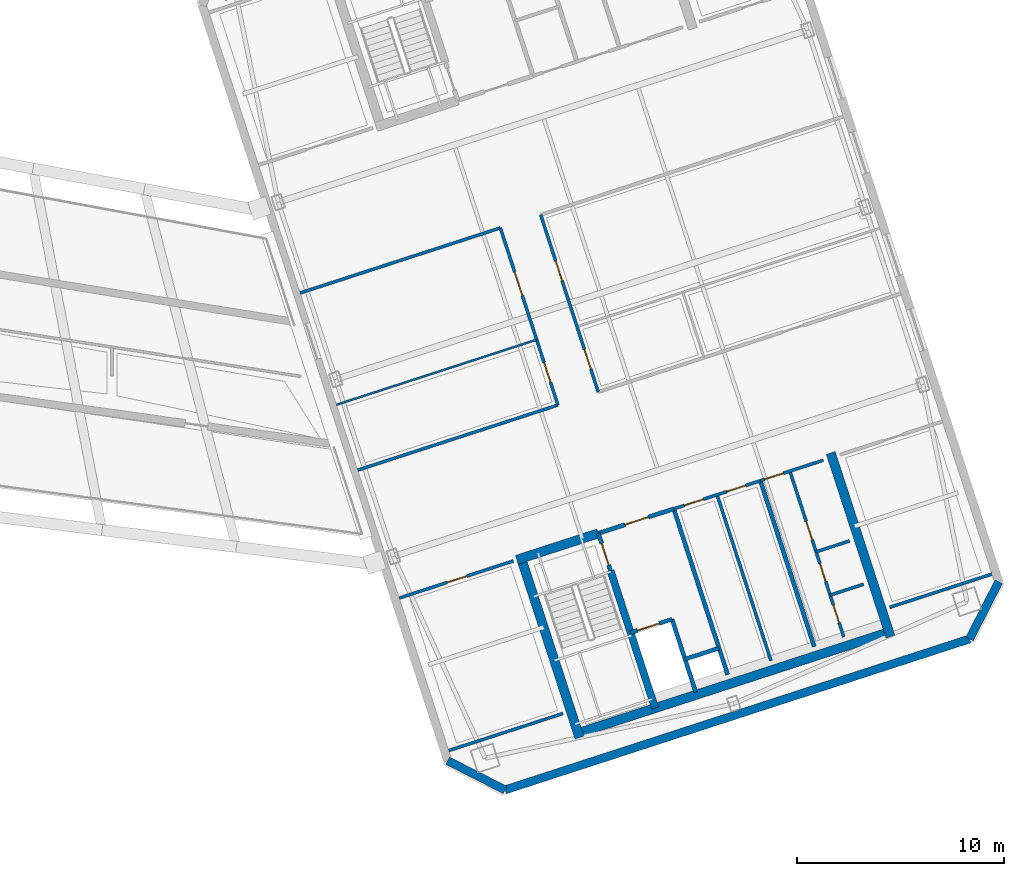
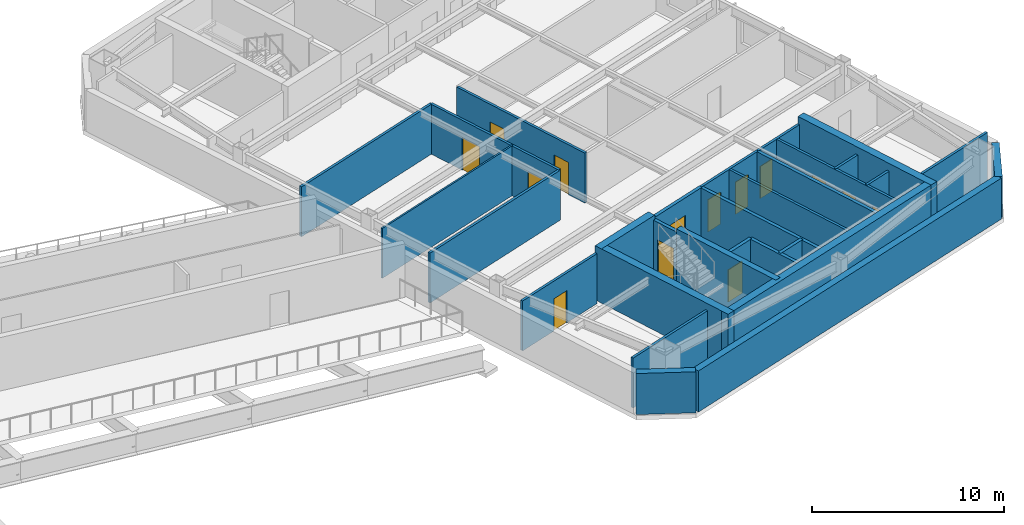
# One storey, part 9 of 18: 29 walls, 14 doors, 14 openings.
"""IFC4 building model written with IfcOpenShell, lengths in metres."""

from ifc_helpers import new_model, si_unit, direction, frame, frame_2d, origin, place, context, subcontext, project, spatial, rectangle, extrude, material, layer, layer_set, type_object, element, fill, save


model = new_model("IFC4")

# Units and contexts
model_context = context("Model", 3, precision=1e-05, world=origin(), true_north=direction((0.0, 1.0)))
body_context = subcontext(model_context, "Body", "Model", "MODEL_VIEW")
ifc_project = project(units=[si_unit("LENGTHUNIT", "METRE"), si_unit("AREAUNIT", "SQUARE_METRE"), si_unit("VOLUMEUNIT", "CUBIC_METRE"), si_unit("PLANEANGLEUNIT", "RADIAN"), si_unit("MASSUNIT", "GRAM", prefix="KILO")], contexts=[model_context])

# Site, building, storey
site_placement = place(None, origin())
site = spatial("IfcSite", under=ifc_project, at=site_placement, CompositionType="ELEMENT")
building_placement = place(site_placement, origin())
building = spatial("IfcBuilding", under=site, at=building_placement, Name="Qiaolan Cultural Towers", CompositionType="ELEMENT")
storey_placement = place(building_placement, frame((0.0, 0.0, 219.64990234375)))
storey = spatial("IfcBuildingStorey", under=building, at=storey_placement, Name="L59", CompositionType="ELEMENT", Elevation=219.64990234375)

# Walls
ifc_material_1 = material(Name="Concrete C50", Category="concrete")
ifc_layer_1 = layer(ifc_material_1, 0.35009765625)
ifc_layer_set_1 = layer_set([ifc_layer_1], Name="Concrete C50")
wall_type_1 = type_object("IfcWallType", Name="WL-CORE-350", PredefinedType="SHEAR", material=ifc_layer_set_1)
wall_1_placement = place(storey_placement, frame((90.486328125, 20.59423828125, 0.0), z_axis=(0.0, 0.0, 1.0), x_axis=(0.309020428229, -0.951055400562, 0.0)))
element("IfcWall", 1, at=wall_1_placement, inside=storey, type_object=wall_type_1, Name="L59 T2-CS Stair Core Dividing Web", PredefinedType="SHEAR", context=body_context, shape_type="SweptSolid", body=[
    extrude(rectangle(XDim=6.97998046875, YDim=0.35009765625, at=frame_2d((3.489990234375, 0.0))), origin(), (0.0, 0.0, 1.0), 3.4501953125),
])
ifc_material_2 = material(Name="Concrete C50", Category="concrete")
ifc_layer_2 = layer(ifc_material_2, 0.449951171875)
ifc_layer_set_2 = layer_set([ifc_layer_2], Name="Concrete C50")
wall_type_2 = type_object("IfcWallType", Name="WL-CORE-450", PredefinedType="SHEAR", material=ifc_layer_set_2)
wall_2_placement = place(storey_placement, frame((88.701171875, 12.675048828125, 0.0), z_axis=(0.0, 0.0, 1.0), x_axis=(0.95105824505, 0.309011673763, 0.0)))
element("IfcWall", 2, at=wall_2_placement, inside=storey, type_object=wall_type_2, Name="L59 T2-CS Outer Core Shear Wall", PredefinedType="SHEAR", context=body_context, shape_type="SweptSolid", body=[
    extrude(rectangle(XDim=16.250244140625, YDim=0.449951171875, at=frame_2d((8.125, 0.0))), origin(), (0.0, 0.0, 1.0), 3.4501953125),
])
for number, where, z_axis, x_axis, name in (
    (3, (86.1015625, 21.40380859375, 0.0), (0.0, 0.0, 1.0), (0.309035778627, -0.951050412717, 0.0), "L59 T2-CS West Core Shear Wall"),
    (4, (101.12841796875, 26.286376953125, 0.0), (0.0, 0.0, 1.0), (0.309004419953, -0.951060601881, 0.0), "L59 T2-CS East Core Shear Wall"),
):
    element("IfcWall", number, at=place(storey_placement, frame(where, z_axis=z_axis, x_axis=x_axis)), inside=storey, type_object=wall_type_2, Name=name, PredefinedType="SHEAR", context=body_context, shape_type="SweptSolid", body=[
        extrude(rectangle(XDim=9.330078125, YDim=0.449951171875, at=frame_2d((4.6650390625, 0.0))), origin(), (0.0, 0.0, 1.0), 3.4501953125),
    ])
wall_3_placement = place(storey_placement, frame((85.957275390625, 21.120361328125, 0.0), z_axis=(0.0, 0.0, 1.0), x_axis=(0.951064796122, 0.308991510526, 0.0)))
element("IfcWall", 5, at=wall_3_placement, inside=storey, type_object=wall_type_2, Name="L59 T2-CS Stair Front Shear Wall", PredefinedType="SHEAR", context=body_context, shape_type="SweptSolid", body=[
    extrude(rectangle(XDim=4.14501953125, YDim=0.449951171875, at=frame_2d((2.072509765625, 0.0))), origin(), (0.0, 0.0, 1.0), 3.4501953125),
])
ifc_material_3 = material(Name="Precast Concrete C50 Honed Stone Pier", Category="masonry")
ifc_layer_3 = layer(ifc_material_3, 0.39990234375)
ifc_layer_set_3 = layer_set([ifc_layer_3], Name="Precast Concrete C50 Honed Stone Pier")
wall_type_3 = type_object("IfcWallType", Name="WL-EXT-PIER-400", PredefinedType="SOLIDWALL", material=ifc_layer_set_3)
wall_4_placement = place(storey_placement, frame((109.247802734375, 20.06591796875, 0.0), z_axis=(0.0, 0.0, 1.0), x_axis=(-0.453949291228, -0.891027519774, 0.0)))
element("IfcWall", 6, at=wall_4_placement, inside=storey, type_object=wall_type_3, Name="L59 East Tower Precast Pier Facade Wall F6", PredefinedType="SOLIDWALL", context=body_context, shape_type="SweptSolid", body=[
    extrude(rectangle(XDim=3.111328125, YDim=0.39990234375, at=frame_2d((1.5556640625, 0.0))), origin(), (0.0, 0.0, 1.0), 2.610107421875),
])
wall_5_placement = place(storey_placement, frame((107.83544921875, 17.293701171875, 0.0), z_axis=(0.0, 0.0, 1.0), x_axis=(-0.951058012937, -0.309012388148, 0.0)))
element("IfcWall", 7, at=wall_5_placement, inside=storey, type_object=wall_type_3, Name="L59 East Tower Precast Pier Facade Wall F7", PredefinedType="SOLIDWALL", context=body_context, shape_type="SweptSolid", body=[
    extrude(rectangle(XDim=23.60009765625, YDim=0.39990234375, at=frame_2d((11.800048828125, 0.0))), origin(), (0.0, 0.0, 1.0), 2.610107421875),
])
wall_6_placement = place(storey_placement, frame((85.390380859375, 10.0009765625, 0.0), z_axis=(0.0, 0.0, 1.0), x_axis=(-0.890979603174, 0.454043331334, 0.0)))
element("IfcWall", 8, at=wall_6_placement, inside=storey, type_object=wall_type_3, Name="L59 East Tower Precast Pier Facade Wall F8", PredefinedType="SOLIDWALL", context=body_context, shape_type="SweptSolid", body=[
    extrude(rectangle(XDim=3.111083984375, YDim=0.39990234375, at=frame_2d((1.5556640625, 0.0))), origin(), (0.0, 0.0, 1.0), 2.610107421875),
])

# Wall, opening, door
ifc_material_4 = material(Name="Concrete C35 Fire Wall", Category="concrete")
ifc_layer_4 = layer(ifc_material_4, 0.199951171875)
ifc_layer_set_4 = layer_set([ifc_layer_4], Name="Concrete C35 Fire Wall")
wall_type_4 = type_object("IfcWallType", Name="WL-FIRE-200", PredefinedType="PARTITIONING", material=ifc_layer_set_4)
wall_7_placement = place(storey_placement, frame((89.8994140625, 22.401123046875, 0.0), z_axis=(0.0, 0.0, 1.0), x_axis=(0.308932062672, -0.951084108086, 0.0)))
wall_7 = element("IfcWall", 9, at=wall_7_placement, inside=storey, type_object=wall_type_4, Name="L59 T2-CS Smokeproof Stair Entry Wall", PredefinedType="PARTITIONING", context=body_context, shape_type="SweptSolid", body=[
    extrude(rectangle(XDim=1.89990234375, YDim=0.199951171875, at=frame_2d((0.949951171875, 0.0))), origin(), (0.0, 0.0, 1.0), 3.175048828125),
])
opening_1_placement = place(wall_7_placement, frame((0.52001953125, 0.0, 0.0)))
opening_1 = element("IfcOpeningElement", 10, at=opening_1_placement, cuts=wall_7, Name="Opening FD-04", PredefinedType="OPENING", context=body_context, shape_type="SweptSolid", body=[
    extrude(rectangle(XDim=1.10009765625, YDim=2.050048828125, at=frame_2d((0.550048828125, 1.02490234375))), frame((0.0, 0.10986328125, 0.0), z_axis=(0.0, -1.0, 0.0), x_axis=(1.0, 0.0, 0.0)), (0.0, 0.0, 1.0), 0.219970703125),
])
ifc_material_5 = material(Name="Galvanized Steel Command Fire Door", Category="steel")
door_type_1 = type_object("IfcDoorType", Name="DR-FD90-1100", OperationType="NOTDEFINED", PredefinedType="DOOR", material=ifc_material_5)
door_1_placement = place(opening_1_placement, origin())
door_1 = element("IfcDoor", 11, at=door_1_placement, inside=storey, type_object=door_type_1, Name="L59 ST-E1 Smokeproof Stair Fire Door", OperationType="SINGLE_SWING_LEFT", OverallHeight=2.050048828125, OverallWidth=1.10009765625, PredefinedType="DOOR", context=body_context, shape_type="SweptSolid", body=[
    extrude(rectangle(XDim=1.10009765625, YDim=2.050048828125, at=frame_2d((0.550048828125, 1.02490234375))), frame((0.0, 0.02490234375, 0.0), z_axis=(0.0, -1.0, 0.0), x_axis=(1.0, 0.0, 0.0)), (0.0, 0.0, 1.0), 0.050048828125),
])
fill(opening_1, door_1)

# Wall
wall_8_placement = place(storey_placement, frame((93.541748046875, 23.584716796875, 0.0), z_axis=(0.0, 0.0, 1.0), x_axis=(0.309042196757, -0.951048327176, 0.0)))
element("IfcWall", 12, at=wall_8_placement, inside=storey, type_object=wall_type_4, Name="L59 T2-CS Firefighting Zone Wall", PredefinedType="PARTITIONING", context=body_context, shape_type="SweptSolid", body=[
    extrude(rectangle(XDim=8.429931640625, YDim=0.199951171875, at=frame_2d((4.21484375, 0.0))), origin(), (0.0, 0.0, 1.0), 3.175048828125),
])

# Wall, opening, door
wall_9_placement = place(storey_placement, frame((89.8994140625, 22.401123046875, 0.0), z_axis=(0.0, 0.0, 1.0), x_axis=(0.951046716504, 0.309047153403, 0.0)))
wall_9 = element("IfcWall", 13, at=wall_9_placement, inside=storey, type_object=wall_type_4, Name="L59 T2-CS Firefighting Lobby Front Wall", PredefinedType="PARTITIONING", context=body_context, shape_type="SweptSolid", body=[
    extrude(rectangle(XDim=3.829833984375, YDim=0.199951171875, at=frame_2d((1.9150390625, 0.0))), origin(), (0.0, 0.0, 1.0), 3.175048828125),
])
opening_2_placement = place(wall_9_placement, frame((1.35009765625, 0.0, 0.0)))
opening_2 = element("IfcOpeningElement", 14, at=opening_2_placement, cuts=wall_9, Name="Opening FD-03", PredefinedType="OPENING", context=body_context, shape_type="SweptSolid", body=[
    extrude(rectangle(XDim=1.199951171875, YDim=2.050048828125, at=frame_2d((0.60009765625, 1.02490234375))), frame((0.0, 0.10986328125, 0.0), z_axis=(0.0, -1.0, 0.0), x_axis=(1.0, 0.0, 0.0)), (0.0, 0.0, 1.0), 0.219970703125),
])
ifc_material_6 = material(Name="Galvanized Steel Smokeproof Lobby Fire Door", Category="steel")
door_type_2 = type_object("IfcDoorType", Name="DR-FD90-1200", OperationType="NOTDEFINED", PredefinedType="DOOR", material=ifc_material_6)
door_2_placement = place(opening_2_placement, origin())
door_2 = element("IfcDoor", 15, at=door_2_placement, inside=storey, type_object=door_type_2, Name="L59 FFL-E1 Firefighting Lobby Fire Door", OperationType="SINGLE_SWING_LEFT", OverallHeight=2.050048828125, OverallWidth=1.199951171875, PredefinedType="DOOR", context=body_context, shape_type="SweptSolid", body=[
    extrude(rectangle(XDim=1.199951171875, YDim=2.050048828125, at=frame_2d((0.60009765625, 1.02490234375))), frame((0.0, 0.02490234375, 0.0), z_axis=(0.0, -1.0, 0.0), x_axis=(1.0, 0.0, 0.0)), (0.0, 0.0, 1.0), 0.050048828125),
])
fill(opening_2, door_2)

wall_10_placement = place(storey_placement, frame((91.459716796875, 17.598388671875, 0.0), z_axis=(0.0, 0.0, 1.0), x_axis=(0.951062257173, 0.308999325213, 0.0)))
wall_10 = element("IfcWall", 16, at=wall_10_placement, inside=storey, type_object=wall_type_4, Name="L59 T2-CS Firefighting Shaft Front Wall", PredefinedType="PARTITIONING", context=body_context, shape_type="SweptSolid", body=[
    extrude(rectangle(XDim=2.10009765625, YDim=0.199951171875, at=frame_2d((1.050048828125, 0.0))), origin(), (0.0, 0.0, 1.0), 3.175048828125),
])
opening_3_placement = place(wall_10_placement, frame((0.35009765625, 0.0, 0.0)))
opening_3 = element("IfcOpeningElement", 17, at=opening_3_placement, cuts=wall_10, Name="Opening LD-01", PredefinedType="OPENING", context=body_context, shape_type="SweptSolid", body=[
    extrude(rectangle(XDim=1.10009765625, YDim=2.050048828125, at=frame_2d((0.550048828125, 1.02490234375))), frame((0.0, 0.10986328125, 0.0), z_axis=(0.0, -1.0, 0.0), x_axis=(1.0, 0.0, 0.0)), (0.0, 0.0, 1.0), 0.219970703125),
])
ifc_material_7 = material(Name="Brushed Stainless Steel S30408 Centre-Parting Lift Landing Door", Category="steel")
door_type_3 = type_object("IfcDoorType", Name="DR-LIFT-1100", OperationType="NOTDEFINED", PredefinedType="DOOR", material=ifc_material_7)
door_3_placement = place(opening_3_placement, origin())
door_3 = element("IfcDoor", 18, at=door_3_placement, inside=storey, type_object=door_type_3, Name="L59 FFL-E1 Firefighting Lift Landing Door", OperationType="DOUBLE_DOOR_SLIDING", OverallHeight=2.050048828125, OverallWidth=1.10009765625, PredefinedType="DOOR", context=body_context, shape_type="SweptSolid", body=[
    extrude(rectangle(XDim=1.10009765625, YDim=2.050048828125, at=frame_2d((0.550048828125, 1.02490234375))), frame((0.0, 0.02490234375, 0.0), z_axis=(0.0, -1.0, 0.0), x_axis=(1.0, 0.0, 0.0)), (0.0, 0.0, 1.0), 0.050048828125),
])
fill(opening_3, door_3)

# Walls
wall_11_placement = place(storey_placement, frame((93.45703125, 18.247314453125, 0.0), z_axis=(0.0, 0.0, 1.0), x_axis=(0.3089935693, -0.951064127245, 0.0)))
element("IfcWall", 19, at=wall_11_placement, inside=storey, type_object=wall_type_4, Name="L59 T2-CS Firefighting Hoistway East Wall", PredefinedType="PARTITIONING", context=body_context, shape_type="SweptSolid", body=[
    extrude(rectangle(XDim=3.7001953125, YDim=0.199951171875, at=frame_2d((1.85009765625, 0.0))), origin(), (0.0, 0.0, 1.0), 3.175048828125),
])
wall_12_placement = place(storey_placement, frame((94.08447265625, 16.316650390625, 0.0), z_axis=(0.0, 0.0, 1.0), x_axis=(0.951041328149, 0.309063734775, 0.0)))
element("IfcWall", 20, at=wall_12_placement, inside=storey, type_object=wall_type_4, Name="L59 T2-CS Pressurization Shaft Front Wall", PredefinedType="PARTITIONING", context=body_context, shape_type="SweptSolid", body=[
    extrude(rectangle(XDim=1.72998046875, YDim=0.199951171875, at=frame_2d((0.864990234375, 0.0))), origin(), (0.0, 0.0, 1.0), 3.175048828125),
])
wall_13_placement = place(storey_placement, frame((97.7265625, 24.9443359375, 0.0), z_axis=(0.0, 0.0, 1.0), x_axis=(0.309016001439, -0.951056838919, 0.0)))
element("IfcWall", 21, at=wall_13_placement, inside=storey, type_object=wall_type_4, Name="L59 T2-CS Lift Core East Wall", PredefinedType="PARTITIONING", context=body_context, shape_type="SweptSolid", body=[
    extrude(rectangle(XDim=8.429931640625, YDim=0.199951171875, at=frame_2d((4.21484375, 0.0))), origin(), (0.0, 0.0, 1.0), 3.175048828125),
])
ifc_material_8 = material(Name="Acoustic Double-Glazed Partition Frame", Category="glass")
ifc_layer_5 = layer(ifc_material_8, 0.10009765625)
ifc_layer_set_5 = layer_set([ifc_layer_5], Name="Acoustic Double-Glazed Partition Frame")
wall_type_5 = type_object("IfcWallType", Name="WL-GLAZED-100", PredefinedType="MOVABLE", material=ifc_layer_set_5)
wall_14_placement = place(storey_placement, frame((77.239990234375, 28.61328125, 0.0), z_axis=(0.0, 0.0, 1.0), x_axis=(0.951055402118, 0.30902042344, 0.0)))
element("IfcWall", 22, at=wall_14_placement, inside=storey, type_object=wall_type_5, Name="L59 T2 Interior Wall", PredefinedType="MOVABLE", context=body_context, shape_type="SweptSolid", body=[
    extrude(rectangle(XDim=10.175048828125, YDim=0.10009765625, at=frame_2d((5.08740234375, 0.0))), origin(), (0.0, 0.0, 1.0), 3.175048828125),
])

# Wall, openings, doors
ifc_material_9 = material(Name="Autoclaved Aerated Concrete Block B06", Category="concrete")
ifc_layer_6 = layer(ifc_material_9, 0.14990234375)
ifc_layer_set_6 = layer_set([ifc_layer_6], Name="Autoclaved Aerated Concrete Block B06")
wall_type_6 = type_object("IfcWallType", Name="WL-PART-150", PredefinedType="PARTITIONING", material=ifc_layer_set_6)
wall_15_placement = place(storey_placement, frame((93.541748046875, 23.584716796875, 0.0), z_axis=(0.0, 0.0, 1.0), x_axis=(0.951063829732, 0.308994485023, 0.0)))
wall_15 = element("IfcWall", 23, at=wall_15_placement, inside=storey, type_object=wall_type_6, Name="L59 T2-CS Reclaimed Core Room Front Wall", PredefinedType="PARTITIONING", context=body_context, shape_type="SweptSolid", body=[
    extrude(rectangle(XDim=4.400146484375, YDim=0.14990234375, at=frame_2d((2.2001953125, 0.0))), origin(), (0.0, 0.0, 1.0), 3.175048828125),
])
opening_4_placement = place(wall_15_placement, frame((0.550048828125, 0.0, 0.0)))
opening_4 = element("IfcOpeningElement", 24, at=opening_4_placement, cuts=wall_15, Name="Opening ID-05", PredefinedType="OPENING", context=body_context, shape_type="SweptSolid", body=[
    extrude(rectangle(XDim=0.949951171875, YDim=2.050048828125, at=frame_2d((0.47509765625, 1.02490234375))), frame((0.0, 0.0849609375, 0.0), z_axis=(0.0, -1.0, 0.0), x_axis=(1.0, 0.0, 0.0)), (0.0, 0.0, 1.0), 0.169921875),
])
opening_5_placement = place(wall_15_placement, frame((2.699951171875, 0.0, 0.0)))
opening_5 = element("IfcOpeningElement", 25, at=opening_5_placement, cuts=wall_15, Name="Opening ID-05", PredefinedType="OPENING", context=body_context, shape_type="SweptSolid", body=[
    extrude(rectangle(XDim=0.949951171875, YDim=2.050048828125, at=frame_2d((0.47509765625, 1.02490234375))), frame((0.0, 0.0849609375, 0.0), z_axis=(0.0, -1.0, 0.0), x_axis=(1.0, 0.0, 0.0)), (0.0, 0.0, 1.0), 0.169921875),
])
ifc_material_10 = material(Name="Fire-Rated Laminate Accessible Core Door", Category="timber")
door_type_4 = type_object("IfcDoorType", Name="DR-INT-950", OperationType="NOTDEFINED", PredefinedType="DOOR", material=ifc_material_10)
door_4_placement = place(opening_4_placement, origin())
door_4 = element("IfcDoor", 26, at=door_4_placement, inside=storey, type_object=door_type_4, Name="L59 Copy Print Room Door", OperationType="SINGLE_SWING_LEFT", OverallHeight=2.050048828125, OverallWidth=0.949951171875, PredefinedType="DOOR", context=body_context, shape_type="SweptSolid", body=[
    extrude(rectangle(XDim=0.949951171875, YDim=2.050048828125, at=frame_2d((0.47509765625, 1.02490234375))), frame((0.0, 0.02490234375, 0.0), z_axis=(0.0, -1.0, 0.0), x_axis=(1.0, 0.0, 0.0)), (0.0, 0.0, 1.0), 0.050048828125),
])
fill(opening_4, door_4)
door_5_placement = place(opening_5_placement, origin())
door_5 = element("IfcDoor", 27, at=door_5_placement, inside=storey, type_object=door_type_4, Name="L59 Tea Pantry Room Door", OperationType="SINGLE_SWING_RIGHT", OverallHeight=2.050048828125, OverallWidth=0.949951171875, PredefinedType="DOOR", context=body_context, shape_type="SweptSolid", body=[
    extrude(rectangle(XDim=0.949951171875, YDim=2.050048828125, at=frame_2d((0.47509765625, 1.02490234375))), frame((0.0, 0.02490234375, 0.0), z_axis=(0.0, -1.0, 0.0), x_axis=(1.0, 0.0, 0.0)), (0.0, 0.0, 1.0), 0.050048828125),
])
fill(opening_5, door_5)

# Wall
wall_16_placement = place(storey_placement, frame((95.63427734375, 24.2646484375, 0.0), z_axis=(0.0, 0.0, 1.0), x_axis=(0.309007490203, -0.951059604335, 0.0)))
element("IfcWall", 28, at=wall_16_placement, inside=storey, type_object=wall_type_6, Name="L59 T2-CS Reclaimed Twin Room Wall", PredefinedType="PARTITIONING", context=body_context, shape_type="SweptSolid", body=[
    extrude(rectangle(XDim=8.43017578125, YDim=0.14990234375, at=frame_2d((4.215087890625, 0.0))), origin(), (0.0, 0.0, 1.0), 3.175048828125),
])

# Wall, opening, door
wall_17_placement = place(storey_placement, frame((97.7265625, 24.9443359375, 0.0), z_axis=(0.0, 0.0, 1.0), x_axis=(0.951036872128, 0.309077446369, 0.0)))
wall_17 = element("IfcWall", 29, at=wall_17_placement, inside=storey, type_object=wall_type_6, Name="L59 T2-CS Sanitary Core Front Wall", PredefinedType="PARTITIONING", context=body_context, shape_type="SweptSolid", body=[
    extrude(rectangle(XDim=3.199951171875, YDim=0.14990234375, at=frame_2d((1.60009765625, 0.0))), origin(), (0.0, 0.0, 1.0), 3.175048828125),
])
opening_6_placement = place(wall_17_placement, frame((0.219970703125, 0.0, 0.0)))
opening_6 = element("IfcOpeningElement", 30, at=opening_6_placement, cuts=wall_17, Name="Opening ID-05", PredefinedType="OPENING", context=body_context, shape_type="SweptSolid", body=[
    extrude(rectangle(XDim=0.949951171875, YDim=2.050048828125, at=frame_2d((0.47509765625, 1.02490234375))), frame((0.0, 0.0849609375, 0.0), z_axis=(0.0, -1.0, 0.0), x_axis=(1.0, 0.0, 0.0)), (0.0, 0.0, 1.0), 0.169921875),
])
door_6_placement = place(opening_6_placement, origin())
door_6 = element("IfcDoor", 31, at=door_6_placement, inside=storey, type_object=door_type_4, Name="L59 Sanitary Vestibule Door", OperationType="SINGLE_SWING_LEFT", OverallHeight=2.050048828125, OverallWidth=0.949951171875, PredefinedType="DOOR", context=body_context, shape_type="SweptSolid", body=[
    extrude(rectangle(XDim=0.949951171875, YDim=2.050048828125, at=frame_2d((0.47509765625, 1.02490234375))), frame((0.0, 0.02490234375, 0.0), z_axis=(0.0, -1.0, 0.0), x_axis=(1.0, 0.0, 0.0)), (0.0, 0.0, 1.0), 0.050048828125),
])
fill(opening_6, door_6)

# Wall, openings, doors
wall_18_placement = place(storey_placement, frame((99.153076171875, 25.407958984375, 0.0), z_axis=(0.0, 0.0, 1.0), x_axis=(0.309016001439, -0.951056838919, 0.0)))
wall_18 = element("IfcWall", 32, at=wall_18_placement, inside=storey, type_object=wall_type_6, Name="L59 T2-CS Sanitary Vestibule Wall", PredefinedType="PARTITIONING", context=body_context, shape_type="SweptSolid", body=[
    extrude(rectangle(XDim=8.429931640625, YDim=0.14990234375, at=frame_2d((4.21484375, 0.0))), origin(), (0.0, 0.0, 1.0), 3.175048828125),
])
opening_7_placement = place(wall_18_placement, frame((2.550048828125, 0.0, 0.0)))
opening_7 = element("IfcOpeningElement", 33, at=opening_7_placement, cuts=wall_18, Name="Opening ID-05", PredefinedType="OPENING", context=body_context, shape_type="SweptSolid", body=[
    extrude(rectangle(XDim=0.949951171875, YDim=2.050048828125, at=frame_2d((0.47509765625, 1.02490234375))), frame((0.0, 0.0849609375, 0.0), z_axis=(0.0, -1.0, 0.0), x_axis=(1.0, 0.0, 0.0)), (0.0, 0.0, 1.0), 0.169921875),
])
opening_8_placement = place(wall_18_placement, frame((4.699951171875, 0.0, 0.0)))
opening_8 = element("IfcOpeningElement", 34, at=opening_8_placement, cuts=wall_18, Name="Opening ID-06", PredefinedType="OPENING", context=body_context, shape_type="SweptSolid", body=[
    extrude(rectangle(XDim=0.89990234375, YDim=2.050048828125, at=frame_2d((0.449951171875, 1.02490234375))), frame((0.0, 0.0849609375, 0.0), z_axis=(0.0, -1.0, 0.0), x_axis=(1.0, 0.0, 0.0)), (0.0, 0.0, 1.0), 0.169921875),
])
opening_9_placement = place(wall_18_placement, frame((6.800048828125, 0.0, 0.0)))
opening_9 = element("IfcOpeningElement", 35, at=opening_9_placement, cuts=wall_18, Name="Opening ID-06", PredefinedType="OPENING", context=body_context, shape_type="SweptSolid", body=[
    extrude(rectangle(XDim=0.89990234375, YDim=2.050048828125, at=frame_2d((0.449951171875, 1.02490234375))), frame((0.0, 0.0849609375, 0.0), z_axis=(0.0, -1.0, 0.0), x_axis=(1.0, 0.0, 0.0)), (0.0, 0.0, 1.0), 0.169921875),
])
ifc_material_11 = material(Name="Fire-Rated Laminate Core Service Door", Category="timber")
door_type_5 = type_object("IfcDoorType", Name="DR-INT-900", OperationType="NOTDEFINED", PredefinedType="DOOR", material=ifc_material_11)
door_7_placement = place(opening_8_placement, origin())
door_7 = element("IfcDoor", 36, at=door_7_placement, inside=storey, type_object=door_type_5, Name="L59 Men Washroom Door", OperationType="SINGLE_SWING_LEFT", OverallHeight=2.050048828125, OverallWidth=0.89990234375, PredefinedType="DOOR", context=body_context, shape_type="SweptSolid", body=[
    extrude(rectangle(XDim=0.89990234375, YDim=2.050048828125, at=frame_2d((0.449951171875, 1.02490234375))), frame((0.0, 0.02490234375, 0.0), z_axis=(0.0, -1.0, 0.0), x_axis=(1.0, 0.0, 0.0)), (0.0, 0.0, 1.0), 0.050048828125),
])
fill(opening_8, door_7)
door_8_placement = place(opening_9_placement, origin())
door_8 = element("IfcDoor", 37, at=door_8_placement, inside=storey, type_object=door_type_5, Name="L59 Women Washroom Door", OperationType="SINGLE_SWING_RIGHT", OverallHeight=2.050048828125, OverallWidth=0.89990234375, PredefinedType="DOOR", context=body_context, shape_type="SweptSolid", body=[
    extrude(rectangle(XDim=0.89990234375, YDim=2.050048828125, at=frame_2d((0.449951171875, 1.02490234375))), frame((0.0, 0.02490234375, 0.0), z_axis=(0.0, -1.0, 0.0), x_axis=(1.0, 0.0, 0.0)), (0.0, 0.0, 1.0), 0.050048828125),
])
fill(opening_9, door_8)
door_9_placement = place(opening_7_placement, origin())
door_9 = element("IfcDoor", 38, at=door_9_placement, inside=storey, type_object=door_type_4, Name="L59 Accessible Family Washroom Door", OperationType="SINGLE_SWING_LEFT", OverallHeight=2.050048828125, OverallWidth=0.949951171875, PredefinedType="DOOR", context=body_context, shape_type="SweptSolid", body=[
    extrude(rectangle(XDim=0.949951171875, YDim=2.050048828125, at=frame_2d((0.47509765625, 1.02490234375))), frame((0.0, 0.02490234375, 0.0), z_axis=(0.0, -1.0, 0.0), x_axis=(1.0, 0.0, 0.0)), (0.0, 0.0, 1.0), 0.050048828125),
])
fill(opening_7, door_9)

# Walls
wall_19_placement = place(storey_placement, frame((100.420166015625, 21.508544921875, 0.0), z_axis=(0.0, 0.0, 1.0), x_axis=(0.951040401051, 0.309066587596, 0.0)))
element("IfcWall", 39, at=wall_19_placement, inside=storey, type_object=wall_type_6, Name="L59 T2-CS Restroom Split Wall 1", PredefinedType="PARTITIONING", context=body_context, shape_type="SweptSolid", body=[
    extrude(rectangle(XDim=1.699951171875, YDim=0.14990234375, at=frame_2d((0.85009765625, 0.0))), origin(), (0.0, 0.0, 1.0), 3.175048828125),
])
wall_20_placement = place(storey_placement, frame((101.099853515625, 19.416259765625, 0.0), z_axis=(0.0, 0.0, 1.0), x_axis=(0.951054116971, 0.309024378638, 0.0)))
element("IfcWall", 40, at=wall_20_placement, inside=storey, type_object=wall_type_6, Name="L59 T2-CS Restroom Split Wall 2", PredefinedType="PARTITIONING", context=body_context, shape_type="SweptSolid", body=[
    extrude(rectangle(XDim=1.7001953125, YDim=0.14990234375, at=frame_2d((0.85009765625, 0.0))), origin(), (0.0, 0.0, 1.0), 3.175048828125),
])
wall_21_placement = place(storey_placement, frame((82.66943359375, 11.9033203125, 0.0), z_axis=(0.0, 0.0, 1.0), x_axis=(0.951059431056, 0.309008023519, 0.0)))
element("IfcWall", 41, at=wall_21_placement, inside=storey, type_object=wall_type_6, Name="L59 T2 Flank Wall FLK-SW", PredefinedType="PARTITIONING", context=body_context, shape_type="SweptSolid", body=[
    extrude(rectangle(XDim=5.800048828125, YDim=0.14990234375, at=frame_2d((2.89990234375, 0.0))), origin(), (0.0, 0.0, 1.0), 3.175048828125),
])

# Wall, opening, door
wall_22_placement = place(storey_placement, frame((80.274658203125, 19.27392578125, 0.0), z_axis=(0.0, 0.0, 1.0), x_axis=(0.951059431056, 0.309008023519, 0.0)))
wall_22 = element("IfcWall", 42, at=wall_22_placement, inside=storey, type_object=wall_type_6, Name="L59 T2 Flank Front FLK-SW", PredefinedType="PARTITIONING", context=body_context, shape_type="SweptSolid", body=[
    extrude(rectangle(XDim=5.800048828125, YDim=0.14990234375, at=frame_2d((2.89990234375, 0.0))), origin(), (0.0, 0.0, 1.0), 3.175048828125),
])
opening_10_placement = place(wall_22_placement, frame((2.43603515625, 0.0, 0.0)))
opening_10 = element("IfcOpeningElement", 43, at=opening_10_placement, cuts=wall_22, Name="Opening ID-04", PredefinedType="OPENING", context=body_context, shape_type="SweptSolid", body=[
    extrude(rectangle(XDim=1.0, YDim=2.050048828125, at=frame_2d((0.5, 1.02490234375))), frame((0.0, 0.0849609375, 0.0), z_axis=(0.0, -1.0, 0.0), x_axis=(1.0, 0.0, 0.0)), (0.0, 0.0, 1.0), 0.169921875),
])
ifc_material_12 = material(Name="Oak Veneer Acoustic Office Door", Category="timber")
door_type_6 = type_object("IfcDoorType", Name="DR-INT-1000", OperationType="NOTDEFINED", PredefinedType="DOOR", material=ifc_material_12)
door_10_placement = place(opening_10_placement, origin())
door_10 = element("IfcDoor", 44, at=door_10_placement, inside=storey, type_object=door_type_6, Name="L59 T2 Corner Studio Door", OperationType="SINGLE_SWING_LEFT", OverallHeight=2.050048828125, OverallWidth=1.0, PredefinedType="DOOR", context=body_context, shape_type="SweptSolid", body=[
    extrude(rectangle(XDim=1.0, YDim=2.050048828125, at=frame_2d((0.5, 1.02490234375))), frame((0.0, 0.02490234375, 0.0), z_axis=(0.0, -1.0, 0.0), x_axis=(1.0, 0.0, 0.0)), (0.0, 0.0, 1.0), 0.050048828125),
])
fill(opening_10, door_10)

# Walls
wall_23_placement = place(storey_placement, frame((103.97314453125, 18.8251953125, 0.0), z_axis=(0.0, 0.0, 1.0), x_axis=(0.951055112834, 0.309021313752, 0.0)))
element("IfcWall", 45, at=wall_23_placement, inside=storey, type_object=wall_type_6, Name="L59 T2 Flank Wall FLK-SE", PredefinedType="PARTITIONING", context=body_context, shape_type="SweptSolid", body=[
    extrude(rectangle(XDim=5.2001953125, YDim=0.14990234375, at=frame_2d((2.60009765625, 0.0))), origin(), (0.0, 0.0, 1.0), 3.175048828125),
])
for number, where, z_axis, x_axis, name in (
    (46, (78.26611328125, 25.455810546875, 0.0), (0.0, 0.0, 1.0), (0.951055402118, 0.30902042344, 0.0), "L59 T2 South Foyer West Wall"),
    (47, (75.48486328125, 34.015380859375, 0.0), (0.0, 0.0, 1.0), (0.951055402118, 0.30902042344, 0.0), "L59 T2 North Foyer West Wall"),
):
    element("IfcWall", number, at=place(storey_placement, frame(where, z_axis=z_axis, x_axis=x_axis)), inside=storey, type_object=wall_type_6, Name=name, PredefinedType="PARTITIONING", context=body_context, shape_type="SweptSolid", body=[
        extrude(rectangle(XDim=10.175048828125, YDim=0.14990234375, at=frame_2d((5.08740234375, 0.0))), origin(), (0.0, 0.0, 1.0), 3.175048828125),
    ])

# Wall, openings, doors
wall_24_placement = place(storey_placement, frame((87.943115234375, 28.60009765625, 0.0), z_axis=(0.0, 0.0, 1.0), x_axis=(-0.309024734286, 0.951054001411, 0.0)))
wall_24 = element("IfcWall", 48, at=wall_24_placement, inside=storey, type_object=wall_type_6, Name="L59 T2 Central Spine West Wall", PredefinedType="PARTITIONING", context=body_context, shape_type="SweptSolid", body=[
    extrude(rectangle(XDim=9.0, YDim=0.14990234375, at=frame_2d((4.5, 0.0))), origin(), (0.0, 0.0, 1.0), 3.175048828125),
])
opening_11_placement = place(wall_24_placement, frame((1.159912109375, 0.0, 0.0)))
opening_11 = element("IfcOpeningElement", 49, at=opening_11_placement, cuts=wall_24, Name="Opening ID-04", PredefinedType="OPENING", context=body_context, shape_type="SweptSolid", body=[
    extrude(rectangle(XDim=1.0, YDim=2.050048828125, at=frame_2d((0.5, 1.02490234375))), frame((0.0, 0.0849609375, 0.0), z_axis=(0.0, -1.0, 0.0), x_axis=(1.0, 0.0, 0.0)), (0.0, 0.0, 1.0), 0.169921875),
])
opening_12_placement = place(wall_24_placement, frame((5.56005859375, 0.0, 0.0)))
opening_12 = element("IfcOpeningElement", 50, at=opening_12_placement, cuts=wall_24, Name="Opening FD-06", PredefinedType="OPENING", context=body_context, shape_type="SweptSolid", body=[
    extrude(rectangle(XDim=1.199951171875, YDim=2.050048828125, at=frame_2d((0.60009765625, 1.02490234375))), frame((0.0, 0.0849609375, 0.0), z_axis=(0.0, -1.0, 0.0), x_axis=(1.0, 0.0, 0.0)), (0.0, 0.0, 1.0), 0.169921875),
])
ifc_material_13 = material(Name="Painted Steel Plant Fire Door", Category="steel")
door_type_7 = type_object("IfcDoorType", Name="DR-FD60-1200", OperationType="NOTDEFINED", PredefinedType="DOOR", material=ifc_material_13)
door_11_placement = place(opening_12_placement, origin())
door_11 = element("IfcDoor", 51, at=door_11_placement, inside=storey, type_object=door_type_7, Name="L59 T2 Lobby Sky Park Bridge Vestibule Lobby Door", OperationType="SINGLE_SWING_RIGHT", OverallHeight=2.050048828125, OverallWidth=1.199951171875, PredefinedType="DOOR", context=body_context, shape_type="SweptSolid", body=[
    extrude(rectangle(XDim=1.199951171875, YDim=2.050048828125, at=frame_2d((0.60009765625, 1.02490234375))), frame((0.0, 0.02490234375, 0.0), z_axis=(0.0, -1.0, 0.0), x_axis=(1.0, 0.0, 0.0)), (0.0, 0.0, 1.0), 0.050048828125),
])
fill(opening_12, door_11)
door_12_placement = place(opening_11_placement, origin())
door_12 = element("IfcDoor", 52, at=door_12_placement, inside=storey, type_object=door_type_6, Name="L59 T2 Sky Park Cultural Salon Door", OperationType="SINGLE_SWING_LEFT", OverallHeight=2.050048828125, OverallWidth=1.0, PredefinedType="DOOR", context=body_context, shape_type="SweptSolid", body=[
    extrude(rectangle(XDim=1.0, YDim=2.050048828125, at=frame_2d((0.5, 1.02490234375))), frame((0.0, 0.02490234375, 0.0), z_axis=(0.0, -1.0, 0.0), x_axis=(1.0, 0.0, 0.0)), (0.0, 0.0, 1.0), 0.050048828125),
])
fill(opening_11, door_12)

wall_25_placement = place(storey_placement, frame((89.892578125, 29.233642578125, 0.0), z_axis=(0.0, 0.0, 1.0), x_axis=(-0.309008170129, 0.951059383421, 0.0)))
wall_25 = element("IfcWall", 53, at=wall_25_placement, inside=storey, type_object=wall_type_6, Name="L59 T2 Central Spine East Wall", PredefinedType="PARTITIONING", context=body_context, shape_type="SweptSolid", body=[
    extrude(rectangle(XDim=8.999755859375, YDim=0.14990234375, at=frame_2d((4.5, 0.0))), origin(), (0.0, 0.0, 1.0), 3.175048828125),
])
opening_13_placement = place(wall_25_placement, frame((1.159912109375, 0.0, 0.0)))
opening_13 = element("IfcOpeningElement", 54, at=opening_13_placement, cuts=wall_25, Name="Opening ID-04", PredefinedType="OPENING", context=body_context, shape_type="SweptSolid", body=[
    extrude(rectangle(XDim=1.0, YDim=2.050048828125, at=frame_2d((0.5, 1.02490234375))), frame((0.0, 0.0849609375, 0.0), z_axis=(0.0, -1.0, 0.0), x_axis=(1.0, 0.0, 0.0)), (0.0, 0.0, 1.0), 0.169921875),
])
opening_14_placement = place(wall_25_placement, frame((5.659912109375, 0.0, 0.0)))
opening_14 = element("IfcOpeningElement", 55, at=opening_14_placement, cuts=wall_25, Name="Opening ID-04", PredefinedType="OPENING", context=body_context, shape_type="SweptSolid", body=[
    extrude(rectangle(XDim=1.0, YDim=2.050048828125, at=frame_2d((0.5, 1.02490234375))), frame((0.0, 0.0849609375, 0.0), z_axis=(0.0, -1.0, 0.0), x_axis=(1.0, 0.0, 0.0)), (0.0, 0.0, 1.0), 0.169921875),
])
door_13_placement = place(opening_13_placement, origin())
door_13 = element("IfcDoor", 56, at=door_13_placement, inside=storey, type_object=door_type_6, Name="L59 T2 Sky Gallery Gift Shop Door", OperationType="SINGLE_SWING_LEFT", OverallHeight=2.050048828125, OverallWidth=1.0, PredefinedType="DOOR", context=body_context, shape_type="SweptSolid", body=[
    extrude(rectangle(XDim=1.0, YDim=2.050048828125, at=frame_2d((0.5, 1.02490234375))), frame((0.0, 0.02490234375, 0.0), z_axis=(0.0, -1.0, 0.0), x_axis=(1.0, 0.0, 0.0)), (0.0, 0.0, 1.0), 0.050048828125),
])
fill(opening_13, door_13)
door_14_placement = place(opening_14_placement, origin())
door_14 = element("IfcDoor", 57, at=door_14_placement, inside=storey, type_object=door_type_6, Name="L59 T2 Curator Office Door", OperationType="SINGLE_SWING_LEFT", OverallHeight=2.050048828125, OverallWidth=1.0, PredefinedType="DOOR", context=body_context, shape_type="SweptSolid", body=[
    extrude(rectangle(XDim=1.0, YDim=2.050048828125, at=frame_2d((0.5, 1.02490234375))), frame((0.0, 0.02490234375, 0.0), z_axis=(0.0, -1.0, 0.0), x_axis=(1.0, 0.0, 0.0)), (0.0, 0.0, 1.0), 0.050048828125),
])
fill(opening_14, door_14)

save(model, "model.ifc")
